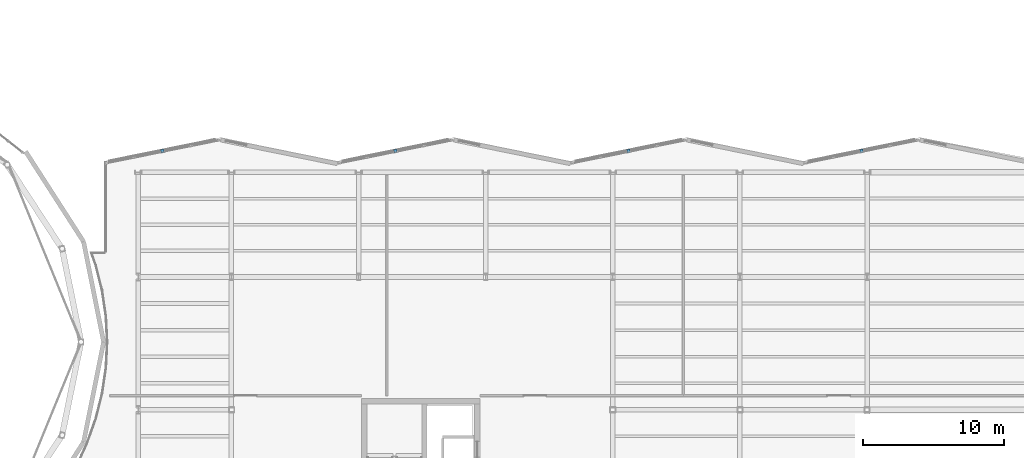
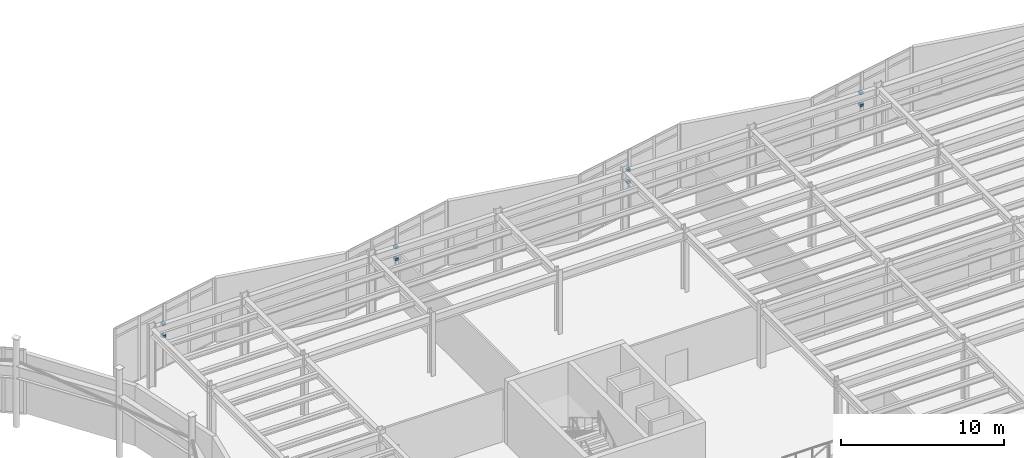
# One storey, part 83 of 91: 8 discrete accessories.
"""IFC4 building model written with IfcOpenShell, lengths in metres."""

from ifc_helpers import new_model, si_unit, direction, frame, origin, origin_2d, place, context, subcontext, project, spatial, rectangle, extrude, material, type_object, element, save


model = new_model("IFC4")

# Units and contexts
model_context = context("Model", 3, precision=1e-05, world=origin(), true_north=direction((0.0, 1.0)))
body_context = subcontext(model_context, "Body", "Model", "MODEL_VIEW")
ifc_project = project(units=[si_unit("LENGTHUNIT", "METRE"), si_unit("AREAUNIT", "SQUARE_METRE"), si_unit("VOLUMEUNIT", "CUBIC_METRE"), si_unit("PLANEANGLEUNIT", "RADIAN"), si_unit("MASSUNIT", "GRAM", prefix="KILO")], contexts=[model_context])

# Site, building, storey
site_placement = place(None, origin())
site = spatial("IfcSite", under=ifc_project, at=site_placement, CompositionType="ELEMENT")
building_placement = place(site_placement, origin())
building = spatial("IfcBuilding", under=site, at=building_placement, Name="Sollismere Congress Hotel", CompositionType="ELEMENT")
storey_placement = place(building_placement, frame((0.0, 0.0, 10.800048828125)))
storey = spatial("IfcBuildingStorey", under=building, at=storey_placement, Name="L02", CompositionType="ELEMENT", Elevation=10.800048828125)

# Discrete accessories
ifc_material = material(Name="Steel ASTM A572 Grade 50", Category="steel")
discrete_accessory_type = type_object("IfcDiscreteAccessoryType", Name="BRK-STL", PredefinedType="BRACKET", material=ifc_material)
for number, where, z_axis, x_axis, name in (
    (1, (62.113037109375, 103.91796875, 2.25), (0.0, 0.0, 1.0), (0.979924704621, 0.199367934417, 0.0), "BRK-SBK-010A"),
    (2, (62.113037109375, 103.91796875, 3.14990234375), (0.0, 0.0, 1.0), (0.979924704621, 0.199367934417, 0.0), "BRK-SBK-010B"),
    (3, (78.613037109375, 103.91796875, 2.25), (0.0, 0.0, 1.0), (0.979924704621, 0.199367934417, 0.0), "BRK-SBK-011A"),
    (4, (78.613037109375, 103.91796875, 3.14990234375), (0.0, 0.0, 1.0), (0.979924704621, 0.199367934417, 0.0), "BRK-SBK-011B"),
    (5, (95.113037109375, 103.91796875, 2.25), (0.0, 0.0, 1.0), (0.979924704621, 0.199367934417, 0.0), "BRK-SBK-012A"),
    (6, (95.113037109375, 103.91796875, 3.14990234375), (0.0, 0.0, 1.0), (0.979924704621, 0.199367934417, 0.0), "BRK-SBK-012B"),
    (7, (111.613037109375, 103.91796875, 2.25), (0.0, 0.0, 1.0), (0.979924704621, 0.199367934417, 0.0), "BRK-SBK-013A"),
    (8, (111.613037109375, 103.91796875, 3.14990234375), (0.0, 0.0, 1.0), (0.979924704621, 0.199367934417, 0.0), "BRK-SBK-013B"),
):
    element("IfcDiscreteAccessory", number, at=place(storey_placement, frame(where, z_axis=z_axis, x_axis=x_axis)), inside=storey, type_object=discrete_accessory_type, Name=name, PredefinedType="BRACKET", context=body_context, shape_type="SweptSolid", body=[
        extrude(rectangle(XDim=0.219970703125, YDim=0.239990234375, at=origin_2d()), origin(), (0.0, 0.0, 1.0), 0.179931640625),
    ])

save(model, "model.ifc")
